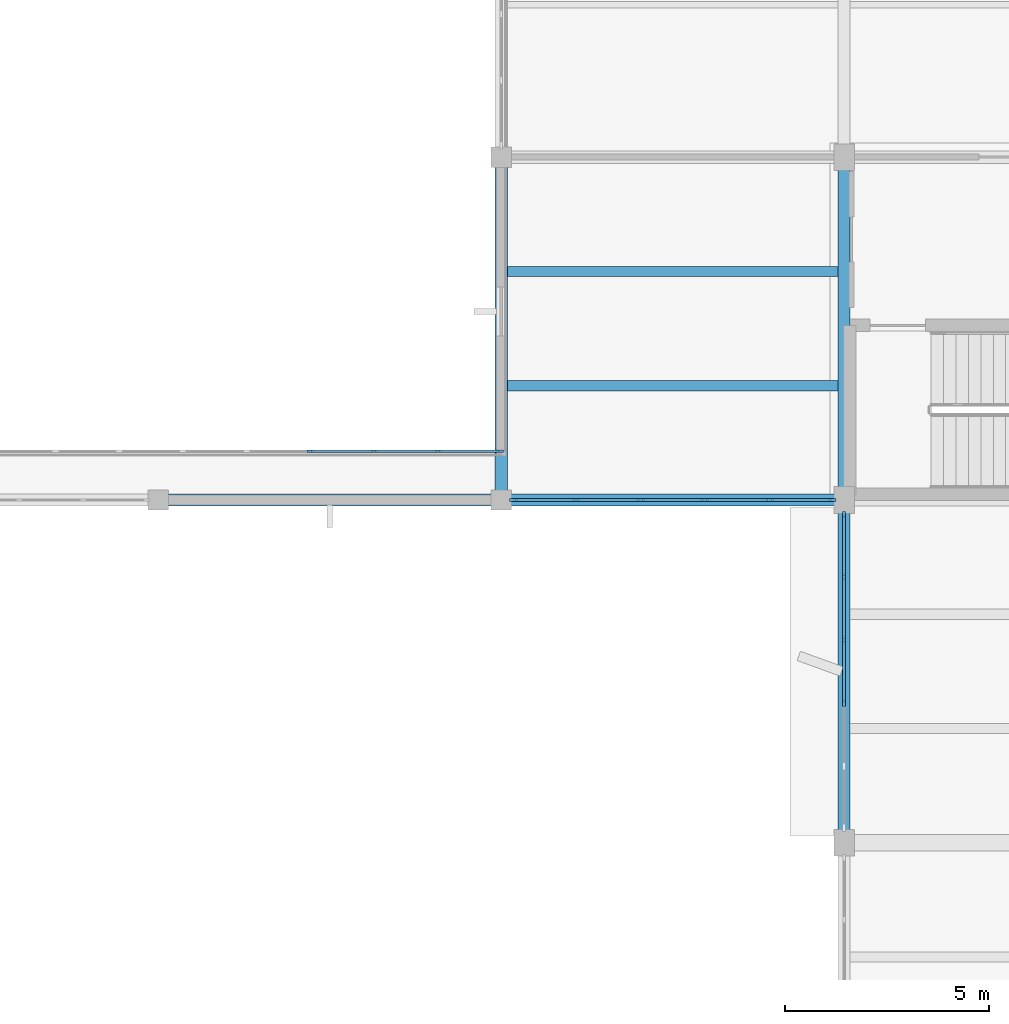
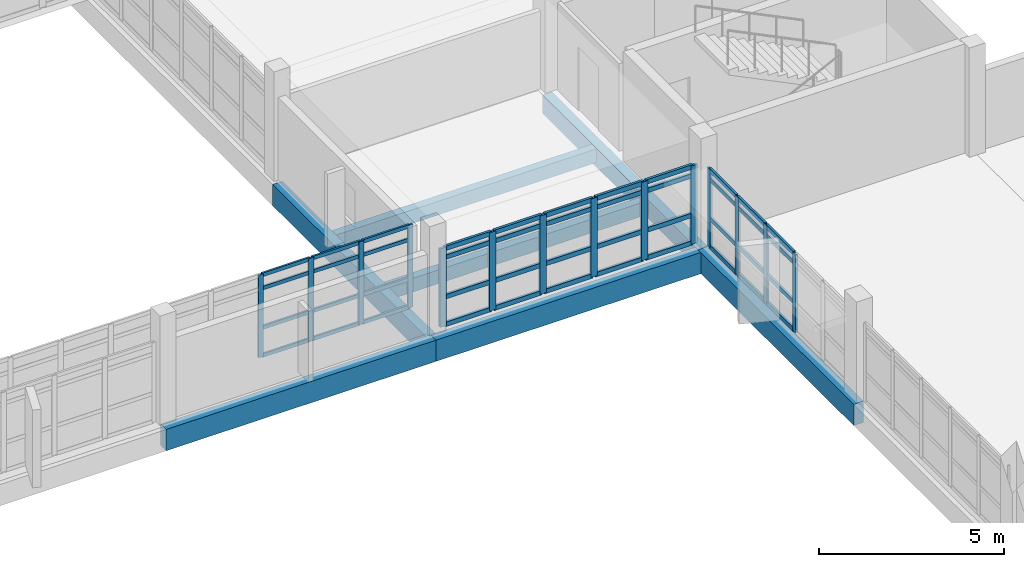
# One storey, part 29 of 104: 58 members, 7 beams, 3 elements without a shape of their own.
"""IFC4 building model written with IfcOpenShell, lengths in metres."""

from ifc_helpers import new_model, si_unit, direction, frame, origin, origin_2d, place, context, subcontext, project, spatial, rectangle, extrude, material, material_profile, profile_set, type_object, element, aggregate, save


model = new_model("IFC4")

# Units and contexts
model_context = context("Model", 3, precision=1e-05, world=origin(), true_north=direction((0.0, 1.0)))
body_context = subcontext(model_context, "Body", "Model", "MODEL_VIEW")
ifc_project = project(units=[si_unit("LENGTHUNIT", "METRE"), si_unit("AREAUNIT", "SQUARE_METRE"), si_unit("VOLUMEUNIT", "CUBIC_METRE"), si_unit("PLANEANGLEUNIT", "RADIAN"), si_unit("MASSUNIT", "GRAM", prefix="KILO")], contexts=[model_context])

# Site, building, storey
site_placement = place(None, origin())
site = spatial("IfcSite", under=ifc_project, at=site_placement, CompositionType="ELEMENT")
building_placement = place(site_placement, origin())
building = spatial("IfcBuilding", under=site, at=building_placement, Name="Vanh Quang Courtyard School", CompositionType="ELEMENT")
storey_placement = place(building_placement, frame((0.0, 0.0, 4.199951171875)))
storey = spatial("IfcBuildingStorey", under=building, at=storey_placement, Name="L01", CompositionType="ELEMENT", Elevation=4.199951171875)

# Beams
ifc_material_1 = material(Name="Concrete C35/45", Category="concrete")
ifc_material_profile_1 = material_profile(ifc_material_1, rectangle(XDim=0.300048828125, YDim=0.60009765625, at=origin_2d()), Name="RC-BM 300x600")
ifc_profile_set_1 = profile_set([ifc_material_profile_1], Name="Concrete C35/45")
beam_type_1 = type_object("IfcBeamType", Name="BM-RC-300x600", PredefinedType="BEAM", material=ifc_profile_set_1)
beam_1_placement = place(storey_placement, frame((29.39990234375, 88.199951171875, -0.579833984375), z_axis=(0.0, 1.0, 0.0), x_axis=(-1.0, 0.0, 0.0)))
element("IfcBeam", 1, at=beam_1_placement, inside=storey, type_object=beam_type_1, Name="Beam B-06 (L01)", PredefinedType="BEAM", context=body_context, shape_type="SweptSolid", body=[
    extrude(rectangle(XDim=0.300048828125, YDim=0.60009765625, at=origin_2d()), origin(), (0.0, 0.0, 1.0), 8.400146484375),
])
ifc_material_profile_2 = material_profile(ifc_material_1, rectangle(XDim=0.300048828125, YDim=0.699951171875, at=origin_2d()), Name="RC-SP 300x700")
ifc_profile_set_2 = profile_set([ifc_material_profile_2], Name="Concrete C35/45")
beam_type_2 = type_object("IfcBeamType", Name="BM-SP-300x700", PredefinedType="SPANDREL", material=ifc_profile_set_2)
for number, where, z_axis, x_axis, name in (
    (2, (12.60009765625, 88.199951171875, -0.6298828125), (1.0, 0.0, 0.0), (0.0, 1.0, 0.0), "Beam BS-01 (L01)"),
    (3, (21.0, 88.199951171875, -0.6298828125), (1.0, 0.0, 0.0), (0.0, 1.0, 0.0), "Beam BS-01 (L01)"),
):
    element("IfcBeam", number, at=place(storey_placement, frame(where, z_axis=z_axis, x_axis=x_axis)), inside=storey, type_object=beam_type_2, Name=name, PredefinedType="SPANDREL", context=body_context, shape_type="SweptSolid", body=[
        extrude(rectangle(XDim=0.300048828125, YDim=0.699951171875, at=origin_2d()), origin(), (0.0, 0.0, 1.0), 8.39990234375),
    ])
beam_2_placement = place(storey_placement, frame((21.0, 88.199951171875, -0.6298828125), z_axis=(0.0, 1.0, 0.0), x_axis=(-1.0, 0.0, 0.0)))
element("IfcBeam", 4, at=beam_2_placement, inside=storey, type_object=beam_type_2, Name="Beam BS-01 (L01)", PredefinedType="SPANDREL", context=body_context, shape_type="SweptSolid", body=[
    extrude(rectangle(XDim=0.300048828125, YDim=0.699951171875, at=origin_2d()), origin(), (0.0, 0.0, 1.0), 8.400146484375),
])
beam_3_placement = place(storey_placement, frame((29.39990234375, 79.800048828125, -0.6298828125), z_axis=(0.0, 1.0, 0.0), x_axis=(-1.0, 0.0, 0.0)))
element("IfcBeam", 5, at=beam_3_placement, inside=storey, type_object=beam_type_2, Name="Beam BS-01 (L01)", PredefinedType="SPANDREL", context=body_context, shape_type="SweptSolid", body=[
    extrude(rectangle(XDim=0.300048828125, YDim=0.699951171875, at=origin_2d()), origin(), (0.0, 0.0, 1.0), 8.39990234375),
])

# Curtain wall, members
ifc_material_2 = material(Name="Thermally broken aluminium unitised curtain wall", Category="aluminium")
curtain_wall_type_1 = type_object("IfcCurtainWallType", Name="CW-SYS-35", PredefinedType="NOTDEFINED", material=ifc_material_2)
curtain_wall_1_placement = place(storey_placement, origin())
curtain_wall_1 = element("IfcCurtainWall", 6, at=curtain_wall_1_placement, inside=storey, type_object=curtain_wall_type_1, Name="Curtain Wall CW-35 (L01)", PredefinedType="NOTDEFINED")
ifc_material_3 = material(Name="Anodised aluminium 6063-T6", Category="aluminium")
ifc_material_profile_3 = material_profile(ifc_material_3, rectangle(XDim=0.06005859375, YDim=0.159912109375, at=origin_2d()), Name="ALU-MUL 60x160")
ifc_profile_set_3 = profile_set([ifc_material_profile_3], Name="Anodised aluminium 6063-T6")
member_type_1 = type_object("IfcMemberType", Name="CW-MUL-60x160", PredefinedType="MULLION", material=ifc_profile_set_3)
member_1_placement = place(storey_placement, frame((16.320068359375, 89.39990234375, 0.0), z_axis=(0.0, 0.0, 1.0), x_axis=(0.0, 1.0, 0.0)))
member_1 = element("IfcMember", 7, at=member_1_placement, type_object=member_type_1, Name="CW-35 mullion 8", PredefinedType="MULLION", context=body_context, shape_type="SweptSolid", body=[
    extrude(rectangle(XDim=0.06005859375, YDim=0.159912109375, at=origin_2d()), origin(), (0.0, 0.0, 1.0), 2.719970703125),
])
member_2_placement = place(storey_placement, frame((17.8798828125, 89.39990234375, 0.0), z_axis=(0.0, 0.0, 1.0), x_axis=(0.0, 1.0, 0.0)))
member_2 = element("IfcMember", 8, at=member_2_placement, type_object=member_type_1, Name="CW-35 mullion 9", PredefinedType="MULLION", context=body_context, shape_type="SweptSolid", body=[
    extrude(rectangle(XDim=0.06005859375, YDim=0.159912109375, at=origin_2d()), origin(), (0.0, 0.0, 1.0), 2.719970703125),
])
member_3_placement = place(storey_placement, frame((19.43994140625, 89.39990234375, 0.0), z_axis=(0.0, 0.0, 1.0), x_axis=(0.0, 1.0, 0.0)))
member_3 = element("IfcMember", 9, at=member_3_placement, type_object=member_type_1, Name="CW-35 mullion 10", PredefinedType="MULLION", context=body_context, shape_type="SweptSolid", body=[
    extrude(rectangle(XDim=0.06005859375, YDim=0.159912109375, at=origin_2d()), origin(), (0.0, 0.0, 1.0), 2.719970703125),
])
member_4_placement = place(storey_placement, frame((20.969970703125, 89.39990234375, 0.0), z_axis=(0.0, 0.0, 1.0), x_axis=(0.0, 1.0, 0.0)))
member_4 = element("IfcMember", 10, at=member_4_placement, type_object=member_type_1, Name="CW-35 mullion 11", PredefinedType="MULLION", context=body_context, shape_type="SweptSolid", body=[
    extrude(rectangle(XDim=0.06005859375, YDim=0.159912109375, at=origin_2d()), origin(), (0.0, 0.0, 1.0), 2.719970703125),
])

curtain_wall_type_2 = type_object("IfcCurtainWallType", Name="CW-SYS-21", PredefinedType="NOTDEFINED", material=ifc_material_2)
curtain_wall_2_placement = place(storey_placement, origin())
curtain_wall_2 = element("IfcCurtainWall", 11, at=curtain_wall_2_placement, inside=storey, type_object=curtain_wall_type_2, Name="Curtain Wall CW-21 (L01)", PredefinedType="NOTDEFINED")
ifc_material_profile_4 = material_profile(ifc_material_3, rectangle(XDim=0.070068359375, YDim=0.179931640625, at=origin_2d()), Name="ALU-MUL 70x180")
ifc_profile_set_4 = profile_set([ifc_material_profile_4], Name="Anodised aluminium 6063-T6")
member_type_2 = type_object("IfcMemberType", Name="CW-MUL-70x180", PredefinedType="MULLION", material=ifc_profile_set_4)
member_5_placement = place(storey_placement, frame((29.39990234375, 83.2265625, 0.0), z_axis=(0.0, 0.0, 1.0), x_axis=(-1.0, 0.0, 0.0)))
member_5 = element("IfcMember", 12, at=member_5_placement, type_object=member_type_2, Name="CW-21 mullion 3", PredefinedType="MULLION", context=body_context, shape_type="SweptSolid", body=[
    extrude(rectangle(XDim=0.070068359375, YDim=0.179931640625, at=origin_2d()), origin(), (0.0, 0.0, 1.0), 2.580078125),
])
member_6_placement = place(storey_placement, frame((29.39990234375, 84.7734375, 0.0), z_axis=(0.0, 0.0, 1.0), x_axis=(-1.0, 0.0, 0.0)))
member_6 = element("IfcMember", 13, at=member_6_placement, type_object=member_type_2, Name="CW-21 mullion 4", PredefinedType="MULLION", context=body_context, shape_type="SweptSolid", body=[
    extrude(rectangle(XDim=0.070068359375, YDim=0.179931640625, at=origin_2d()), origin(), (0.0, 0.0, 1.0), 2.580078125),
])
member_7_placement = place(storey_placement, frame((29.39990234375, 86.3203125, 0.0), z_axis=(0.0, 0.0, 1.0), x_axis=(-1.0, 0.0, 0.0)))
member_7 = element("IfcMember", 14, at=member_7_placement, type_object=member_type_2, Name="CW-21 mullion 5", PredefinedType="MULLION", context=body_context, shape_type="SweptSolid", body=[
    extrude(rectangle(XDim=0.070068359375, YDim=0.179931640625, at=origin_2d()), origin(), (0.0, 0.0, 1.0), 2.580078125),
])
member_8_placement = place(storey_placement, frame((29.39990234375, 87.83203125, 0.0), z_axis=(0.0, 0.0, 1.0), x_axis=(-1.0, 0.0, 0.0)))
member_8 = element("IfcMember", 15, at=member_8_placement, type_object=member_type_2, Name="CW-21 mullion 6", PredefinedType="MULLION", context=body_context, shape_type="SweptSolid", body=[
    extrude(rectangle(XDim=0.070068359375, YDim=0.179931640625, at=origin_2d()), origin(), (0.0, 0.0, 1.0), 2.580078125),
])

curtain_wall_type_3 = type_object("IfcCurtainWallType", Name="CW-SYS-19", PredefinedType="NOTDEFINED", material=ifc_material_2)
curtain_wall_3_placement = place(storey_placement, origin())
curtain_wall_3 = element("IfcCurtainWall", 16, at=curtain_wall_3_placement, inside=storey, type_object=curtain_wall_type_3, Name="Curtain Wall CW-19 (L01)", PredefinedType="NOTDEFINED")
ifc_material_profile_5 = material_profile(ifc_material_3, rectangle(XDim=0.080078125, YDim=0.199951171875, at=origin_2d()), Name="ALU-MUL 80x200")
ifc_profile_set_5 = profile_set([ifc_material_profile_5], Name="Anodised aluminium 6063-T6")
member_type_3 = type_object("IfcMemberType", Name="CW-MUL-80x200", PredefinedType="MULLION", material=ifc_profile_set_5)
member_9_placement = place(storey_placement, frame((29.10205078125, 88.199951171875, 0.0), z_axis=(0.0, 0.0, 1.0), x_axis=(0.0, -1.0, 0.0)))
member_9 = element("IfcMember", 17, at=member_9_placement, type_object=member_type_3, Name="CW-19 mullion 1", PredefinedType="MULLION", context=body_context, shape_type="SweptSolid", body=[
    extrude(rectangle(XDim=0.080078125, YDim=0.199951171875, at=origin_2d()), origin(), (0.0, 0.0, 1.0), 2.580078125),
])
member_10_placement = place(storey_placement, frame((27.565185546875, 88.199951171875, 0.0), z_axis=(0.0, 0.0, 1.0), x_axis=(0.0, -1.0, 0.0)))
member_10 = element("IfcMember", 18, at=member_10_placement, type_object=member_type_3, Name="CW-19 mullion 2", PredefinedType="MULLION", context=body_context, shape_type="SweptSolid", body=[
    extrude(rectangle(XDim=0.080078125, YDim=0.199951171875, at=origin_2d()), origin(), (0.0, 0.0, 1.0), 2.580078125),
])
member_11_placement = place(storey_placement, frame((25.98828125, 88.199951171875, 0.0), z_axis=(0.0, 0.0, 1.0), x_axis=(0.0, -1.0, 0.0)))
member_11 = element("IfcMember", 19, at=member_11_placement, type_object=member_type_3, Name="CW-19 mullion 3", PredefinedType="MULLION", context=body_context, shape_type="SweptSolid", body=[
    extrude(rectangle(XDim=0.080078125, YDim=0.199951171875, at=origin_2d()), origin(), (0.0, 0.0, 1.0), 2.580078125),
])
member_12_placement = place(storey_placement, frame((24.41162109375, 88.199951171875, 0.0), z_axis=(0.0, 0.0, 1.0), x_axis=(0.0, -1.0, 0.0)))
member_12 = element("IfcMember", 20, at=member_12_placement, type_object=member_type_3, Name="CW-19 mullion 4", PredefinedType="MULLION", context=body_context, shape_type="SweptSolid", body=[
    extrude(rectangle(XDim=0.080078125, YDim=0.199951171875, at=origin_2d()), origin(), (0.0, 0.0, 1.0), 2.580078125),
])
member_13_placement = place(storey_placement, frame((22.834716796875, 88.199951171875, 0.0), z_axis=(0.0, 0.0, 1.0), x_axis=(0.0, -1.0, 0.0)))
member_13 = element("IfcMember", 21, at=member_13_placement, type_object=member_type_3, Name="CW-19 mullion 5", PredefinedType="MULLION", context=body_context, shape_type="SweptSolid", body=[
    extrude(rectangle(XDim=0.080078125, YDim=0.199951171875, at=origin_2d()), origin(), (0.0, 0.0, 1.0), 2.580078125),
])
member_14_placement = place(storey_placement, frame((21.298095703125, 88.199951171875, 0.0), z_axis=(0.0, 0.0, 1.0), x_axis=(0.0, -1.0, 0.0)))
member_14 = element("IfcMember", 22, at=member_14_placement, type_object=member_type_3, Name="CW-19 mullion 6", PredefinedType="MULLION", context=body_context, shape_type="SweptSolid", body=[
    extrude(rectangle(XDim=0.080078125, YDim=0.199951171875, at=origin_2d()), origin(), (0.0, 0.0, 1.0), 2.580078125),
])

# Member
ifc_material_profile_6 = material_profile(ifc_material_3, rectangle(XDim=0.06005859375, YDim=0.1201171875, at=origin_2d()), Name="ALU-TRN 60x120")
ifc_profile_set_6 = profile_set([ifc_material_profile_6], Name="Anodised aluminium 6063-T6")
member_type_4 = type_object("IfcMemberType", Name="CW-TRN-60x120", PredefinedType="USERDEFINED", material=ifc_profile_set_6)
member_15_placement = place(storey_placement, frame((16.35009765625, 89.39990234375, 0.030029296875), z_axis=(1.0, 0.0, 0.0), x_axis=(0.0, 1.0, 0.0)))
member_15 = element("IfcMember", 23, at=member_15_placement, type_object=member_type_4, Name="CW-35 transom 8.1", ObjectType="TRANSOM", PredefinedType="USERDEFINED", context=body_context, shape_type="SweptSolid", body=[
    extrude(rectangle(XDim=0.06005859375, YDim=0.1201171875, at=origin_2d()), origin(), (0.0, 0.0, 1.0), 1.5),
])

member_16_placement = place(storey_placement, frame((16.35009765625, 89.39990234375, 0.949951171875), z_axis=(1.0, 0.0, 0.0), x_axis=(0.0, 1.0, 0.0)))
member_16 = element("IfcMember", 24, at=member_16_placement, type_object=member_type_4, Name="CW-35 transom 8.2", ObjectType="TRANSOM", PredefinedType="USERDEFINED", context=body_context, shape_type="SweptSolid", body=[
    extrude(rectangle(XDim=0.06005859375, YDim=0.1201171875, at=origin_2d()), origin(), (0.0, 0.0, 1.0), 1.5),
])

member_17_placement = place(storey_placement, frame((16.35009765625, 89.39990234375, 2.25), z_axis=(1.0, 0.0, 0.0), x_axis=(0.0, 1.0, 0.0)))
member_17 = element("IfcMember", 25, at=member_17_placement, type_object=member_type_4, Name="CW-35 transom 8.3", ObjectType="TRANSOM", PredefinedType="USERDEFINED", context=body_context, shape_type="SweptSolid", body=[
    extrude(rectangle(XDim=0.06005859375, YDim=0.1201171875, at=origin_2d()), origin(), (0.0, 0.0, 1.0), 1.5),
])

member_18_placement = place(storey_placement, frame((16.35009765625, 89.39990234375, 2.68994140625), z_axis=(1.0, 0.0, 0.0), x_axis=(0.0, 1.0, 0.0)))
member_18 = element("IfcMember", 26, at=member_18_placement, type_object=member_type_4, Name="CW-35 transom 8.4", ObjectType="TRANSOM", PredefinedType="USERDEFINED", context=body_context, shape_type="SweptSolid", body=[
    extrude(rectangle(XDim=0.06005859375, YDim=0.1201171875, at=origin_2d()), origin(), (0.0, 0.0, 1.0), 1.5),
])

member_19_placement = place(storey_placement, frame((17.909912109375, 89.39990234375, 0.030029296875), z_axis=(1.0, 0.0, 0.0), x_axis=(0.0, 1.0, 0.0)))
member_19 = element("IfcMember", 27, at=member_19_placement, type_object=member_type_4, Name="CW-35 transom 9.1", ObjectType="TRANSOM", PredefinedType="USERDEFINED", context=body_context, shape_type="SweptSolid", body=[
    extrude(rectangle(XDim=0.06005859375, YDim=0.1201171875, at=origin_2d()), origin(), (0.0, 0.0, 1.0), 1.5),
])

member_20_placement = place(storey_placement, frame((17.909912109375, 89.39990234375, 0.949951171875), z_axis=(1.0, 0.0, 0.0), x_axis=(0.0, 1.0, 0.0)))
member_20 = element("IfcMember", 28, at=member_20_placement, type_object=member_type_4, Name="CW-35 transom 9.2", ObjectType="TRANSOM", PredefinedType="USERDEFINED", context=body_context, shape_type="SweptSolid", body=[
    extrude(rectangle(XDim=0.06005859375, YDim=0.1201171875, at=origin_2d()), origin(), (0.0, 0.0, 1.0), 1.5),
])

member_21_placement = place(storey_placement, frame((17.909912109375, 89.39990234375, 2.25), z_axis=(1.0, 0.0, 0.0), x_axis=(0.0, 1.0, 0.0)))
member_21 = element("IfcMember", 29, at=member_21_placement, type_object=member_type_4, Name="CW-35 transom 9.3", ObjectType="TRANSOM", PredefinedType="USERDEFINED", context=body_context, shape_type="SweptSolid", body=[
    extrude(rectangle(XDim=0.06005859375, YDim=0.1201171875, at=origin_2d()), origin(), (0.0, 0.0, 1.0), 1.5),
])

member_22_placement = place(storey_placement, frame((17.909912109375, 89.39990234375, 2.68994140625), z_axis=(1.0, 0.0, 0.0), x_axis=(0.0, 1.0, 0.0)))
member_22 = element("IfcMember", 30, at=member_22_placement, type_object=member_type_4, Name="CW-35 transom 9.4", ObjectType="TRANSOM", PredefinedType="USERDEFINED", context=body_context, shape_type="SweptSolid", body=[
    extrude(rectangle(XDim=0.06005859375, YDim=0.1201171875, at=origin_2d()), origin(), (0.0, 0.0, 1.0), 1.5),
])

member_23_placement = place(storey_placement, frame((19.469970703125, 89.39990234375, 0.030029296875), z_axis=(1.0, 0.0, 0.0), x_axis=(0.0, 1.0, 0.0)))
member_23 = element("IfcMember", 31, at=member_23_placement, type_object=member_type_4, Name="CW-35 transom 10.1", ObjectType="TRANSOM", PredefinedType="USERDEFINED", context=body_context, shape_type="SweptSolid", body=[
    extrude(rectangle(XDim=0.06005859375, YDim=0.1201171875, at=origin_2d()), origin(), (0.0, 0.0, 1.0), 1.469970703125),
])

member_24_placement = place(storey_placement, frame((19.469970703125, 89.39990234375, 0.949951171875), z_axis=(1.0, 0.0, 0.0), x_axis=(0.0, 1.0, 0.0)))
member_24 = element("IfcMember", 32, at=member_24_placement, type_object=member_type_4, Name="CW-35 transom 10.2", ObjectType="TRANSOM", PredefinedType="USERDEFINED", context=body_context, shape_type="SweptSolid", body=[
    extrude(rectangle(XDim=0.06005859375, YDim=0.1201171875, at=origin_2d()), origin(), (0.0, 0.0, 1.0), 1.469970703125),
])

member_25_placement = place(storey_placement, frame((19.469970703125, 89.39990234375, 2.25), z_axis=(1.0, 0.0, 0.0), x_axis=(0.0, 1.0, 0.0)))
member_25 = element("IfcMember", 33, at=member_25_placement, type_object=member_type_4, Name="CW-35 transom 10.3", ObjectType="TRANSOM", PredefinedType="USERDEFINED", context=body_context, shape_type="SweptSolid", body=[
    extrude(rectangle(XDim=0.06005859375, YDim=0.1201171875, at=origin_2d()), origin(), (0.0, 0.0, 1.0), 1.469970703125),
])

member_26_placement = place(storey_placement, frame((19.469970703125, 89.39990234375, 2.68994140625), z_axis=(1.0, 0.0, 0.0), x_axis=(0.0, 1.0, 0.0)))
member_26 = element("IfcMember", 34, at=member_26_placement, type_object=member_type_4, Name="CW-35 transom 10.4", ObjectType="TRANSOM", PredefinedType="USERDEFINED", context=body_context, shape_type="SweptSolid", body=[
    extrude(rectangle(XDim=0.06005859375, YDim=0.1201171875, at=origin_2d()), origin(), (0.0, 0.0, 1.0), 1.469970703125),
])

aggregate(curtain_wall_1, [member_1, member_2, member_3, member_4, member_15, member_16, member_17, member_18, member_19, member_20, member_21, member_22, member_23, member_24, member_25, member_26])

ifc_material_profile_7 = material_profile(ifc_material_3, rectangle(XDim=0.070068359375, YDim=0.139892578125, at=origin_2d()), Name="ALU-TRN 70x140")
ifc_profile_set_7 = profile_set([ifc_material_profile_7], Name="Anodised aluminium 6063-T6")
member_type_5 = type_object("IfcMemberType", Name="CW-TRN-70x140", PredefinedType="USERDEFINED", material=ifc_profile_set_7)
member_27_placement = place(storey_placement, frame((29.39990234375, 83.26171875, 0.03515625), z_axis=(0.0, 1.0, 0.0), x_axis=(-1.0, 0.0, 0.0)))
member_27 = element("IfcMember", 35, at=member_27_placement, type_object=member_type_5, Name="CW-21 transom 3.1", ObjectType="TRANSOM", PredefinedType="USERDEFINED", context=body_context, shape_type="SweptSolid", body=[
    extrude(rectangle(XDim=0.070068359375, YDim=0.139892578125, at=origin_2d()), origin(), (0.0, 0.0, 1.0), 1.4765625),
])

member_28_placement = place(storey_placement, frame((29.39990234375, 83.26171875, 0.949951171875), z_axis=(0.0, 1.0, 0.0), x_axis=(-1.0, 0.0, 0.0)))
member_28 = element("IfcMember", 36, at=member_28_placement, type_object=member_type_5, Name="CW-21 transom 3.2", ObjectType="TRANSOM", PredefinedType="USERDEFINED", context=body_context, shape_type="SweptSolid", body=[
    extrude(rectangle(XDim=0.070068359375, YDim=0.139892578125, at=origin_2d()), origin(), (0.0, 0.0, 1.0), 1.4765625),
])

member_29_placement = place(storey_placement, frame((29.39990234375, 83.26171875, 2.25), z_axis=(0.0, 1.0, 0.0), x_axis=(-1.0, 0.0, 0.0)))
member_29 = element("IfcMember", 37, at=member_29_placement, type_object=member_type_5, Name="CW-21 transom 3.3", ObjectType="TRANSOM", PredefinedType="USERDEFINED", context=body_context, shape_type="SweptSolid", body=[
    extrude(rectangle(XDim=0.070068359375, YDim=0.139892578125, at=origin_2d()), origin(), (0.0, 0.0, 1.0), 1.4765625),
])

member_30_placement = place(storey_placement, frame((29.39990234375, 83.26171875, 2.545166015625), z_axis=(0.0, 1.0, 0.0), x_axis=(-1.0, 0.0, 0.0)))
member_30 = element("IfcMember", 38, at=member_30_placement, type_object=member_type_5, Name="CW-21 transom 3.4", ObjectType="TRANSOM", PredefinedType="USERDEFINED", context=body_context, shape_type="SweptSolid", body=[
    extrude(rectangle(XDim=0.070068359375, YDim=0.139892578125, at=origin_2d()), origin(), (0.0, 0.0, 1.0), 1.4765625),
])

member_31_placement = place(storey_placement, frame((29.39990234375, 84.808349609375, 0.03515625), z_axis=(0.0, 1.0, 0.0), x_axis=(-1.0, 0.0, 0.0)))
member_31 = element("IfcMember", 39, at=member_31_placement, type_object=member_type_5, Name="CW-21 transom 4.1", ObjectType="TRANSOM", PredefinedType="USERDEFINED", context=body_context, shape_type="SweptSolid", body=[
    extrude(rectangle(XDim=0.070068359375, YDim=0.139892578125, at=origin_2d()), origin(), (0.0, 0.0, 1.0), 1.476806640625),
])

member_32_placement = place(storey_placement, frame((29.39990234375, 84.808349609375, 0.949951171875), z_axis=(0.0, 1.0, 0.0), x_axis=(-1.0, 0.0, 0.0)))
member_32 = element("IfcMember", 40, at=member_32_placement, type_object=member_type_5, Name="CW-21 transom 4.2", ObjectType="TRANSOM", PredefinedType="USERDEFINED", context=body_context, shape_type="SweptSolid", body=[
    extrude(rectangle(XDim=0.070068359375, YDim=0.139892578125, at=origin_2d()), origin(), (0.0, 0.0, 1.0), 1.476806640625),
])

member_33_placement = place(storey_placement, frame((29.39990234375, 84.808349609375, 2.25), z_axis=(0.0, 1.0, 0.0), x_axis=(-1.0, 0.0, 0.0)))
member_33 = element("IfcMember", 41, at=member_33_placement, type_object=member_type_5, Name="CW-21 transom 4.3", ObjectType="TRANSOM", PredefinedType="USERDEFINED", context=body_context, shape_type="SweptSolid", body=[
    extrude(rectangle(XDim=0.070068359375, YDim=0.139892578125, at=origin_2d()), origin(), (0.0, 0.0, 1.0), 1.476806640625),
])

member_34_placement = place(storey_placement, frame((29.39990234375, 84.808349609375, 2.545166015625), z_axis=(0.0, 1.0, 0.0), x_axis=(-1.0, 0.0, 0.0)))
member_34 = element("IfcMember", 42, at=member_34_placement, type_object=member_type_5, Name="CW-21 transom 4.4", ObjectType="TRANSOM", PredefinedType="USERDEFINED", context=body_context, shape_type="SweptSolid", body=[
    extrude(rectangle(XDim=0.070068359375, YDim=0.139892578125, at=origin_2d()), origin(), (0.0, 0.0, 1.0), 1.476806640625),
])

member_35_placement = place(storey_placement, frame((29.39990234375, 86.355224609375, 0.03515625), z_axis=(0.0, 1.0, 0.0), x_axis=(-1.0, 0.0, 0.0)))
member_35 = element("IfcMember", 43, at=member_35_placement, type_object=member_type_5, Name="CW-21 transom 5.1", ObjectType="TRANSOM", PredefinedType="USERDEFINED", context=body_context, shape_type="SweptSolid", body=[
    extrude(rectangle(XDim=0.070068359375, YDim=0.139892578125, at=origin_2d()), origin(), (0.0, 0.0, 1.0), 1.44189453125),
])

member_36_placement = place(storey_placement, frame((29.39990234375, 86.355224609375, 0.949951171875), z_axis=(0.0, 1.0, 0.0), x_axis=(-1.0, 0.0, 0.0)))
member_36 = element("IfcMember", 44, at=member_36_placement, type_object=member_type_5, Name="CW-21 transom 5.2", ObjectType="TRANSOM", PredefinedType="USERDEFINED", context=body_context, shape_type="SweptSolid", body=[
    extrude(rectangle(XDim=0.070068359375, YDim=0.139892578125, at=origin_2d()), origin(), (0.0, 0.0, 1.0), 1.44189453125),
])

member_37_placement = place(storey_placement, frame((29.39990234375, 86.355224609375, 2.25), z_axis=(0.0, 1.0, 0.0), x_axis=(-1.0, 0.0, 0.0)))
member_37 = element("IfcMember", 45, at=member_37_placement, type_object=member_type_5, Name="CW-21 transom 5.3", ObjectType="TRANSOM", PredefinedType="USERDEFINED", context=body_context, shape_type="SweptSolid", body=[
    extrude(rectangle(XDim=0.070068359375, YDim=0.139892578125, at=origin_2d()), origin(), (0.0, 0.0, 1.0), 1.44189453125),
])

member_38_placement = place(storey_placement, frame((29.39990234375, 86.355224609375, 2.545166015625), z_axis=(0.0, 1.0, 0.0), x_axis=(-1.0, 0.0, 0.0)))
member_38 = element("IfcMember", 46, at=member_38_placement, type_object=member_type_5, Name="CW-21 transom 5.4", ObjectType="TRANSOM", PredefinedType="USERDEFINED", context=body_context, shape_type="SweptSolid", body=[
    extrude(rectangle(XDim=0.070068359375, YDim=0.139892578125, at=origin_2d()), origin(), (0.0, 0.0, 1.0), 1.44189453125),
])

aggregate(curtain_wall_2, [member_5, member_6, member_7, member_8, member_27, member_28, member_29, member_30, member_31, member_32, member_33, member_34, member_35, member_36, member_37, member_38])

ifc_material_profile_8 = material_profile(ifc_material_3, rectangle(XDim=0.080078125, YDim=0.14990234375, at=origin_2d()), Name="ALU-TRN 80x150")
ifc_profile_set_8 = profile_set([ifc_material_profile_8], Name="Anodised aluminium 6063-T6")
member_type_6 = type_object("IfcMemberType", Name="CW-TRN-80x150", PredefinedType="USERDEFINED", material=ifc_profile_set_8)
member_39_placement = place(storey_placement, frame((29.06201171875, 88.199951171875, 0.0400390625), z_axis=(-1.0, 0.0, 0.0), x_axis=(0.0, -1.0, 0.0)))
member_39 = element("IfcMember", 47, at=member_39_placement, type_object=member_type_6, Name="CW-19 transom 1.1", ObjectType="TRANSOM", PredefinedType="USERDEFINED", context=body_context, shape_type="SweptSolid", body=[
    extrude(rectangle(XDim=0.080078125, YDim=0.14990234375, at=origin_2d()), origin(), (0.0, 0.0, 1.0), 1.456787109375),
])

member_40_placement = place(storey_placement, frame((29.06201171875, 88.199951171875, 0.949951171875), z_axis=(-1.0, 0.0, 0.0), x_axis=(0.0, -1.0, 0.0)))
member_40 = element("IfcMember", 48, at=member_40_placement, type_object=member_type_6, Name="CW-19 transom 1.2", ObjectType="TRANSOM", PredefinedType="USERDEFINED", context=body_context, shape_type="SweptSolid", body=[
    extrude(rectangle(XDim=0.080078125, YDim=0.14990234375, at=origin_2d()), origin(), (0.0, 0.0, 1.0), 1.456787109375),
])

member_41_placement = place(storey_placement, frame((29.06201171875, 88.199951171875, 2.25), z_axis=(-1.0, 0.0, 0.0), x_axis=(0.0, -1.0, 0.0)))
member_41 = element("IfcMember", 49, at=member_41_placement, type_object=member_type_6, Name="CW-19 transom 1.3", ObjectType="TRANSOM", PredefinedType="USERDEFINED", context=body_context, shape_type="SweptSolid", body=[
    extrude(rectangle(XDim=0.080078125, YDim=0.14990234375, at=origin_2d()), origin(), (0.0, 0.0, 1.0), 1.456787109375),
])

member_42_placement = place(storey_placement, frame((29.06201171875, 88.199951171875, 2.5400390625), z_axis=(-1.0, 0.0, 0.0), x_axis=(0.0, -1.0, 0.0)))
member_42 = element("IfcMember", 50, at=member_42_placement, type_object=member_type_6, Name="CW-19 transom 1.4", ObjectType="TRANSOM", PredefinedType="USERDEFINED", context=body_context, shape_type="SweptSolid", body=[
    extrude(rectangle(XDim=0.080078125, YDim=0.14990234375, at=origin_2d()), origin(), (0.0, 0.0, 1.0), 1.456787109375),
])

member_43_placement = place(storey_placement, frame((27.525146484375, 88.199951171875, 0.0400390625), z_axis=(-1.0, 0.0, 0.0), x_axis=(0.0, -1.0, 0.0)))
member_43 = element("IfcMember", 51, at=member_43_placement, type_object=member_type_6, Name="CW-19 transom 2.1", ObjectType="TRANSOM", PredefinedType="USERDEFINED", context=body_context, shape_type="SweptSolid", body=[
    extrude(rectangle(XDim=0.080078125, YDim=0.14990234375, at=origin_2d()), origin(), (0.0, 0.0, 1.0), 1.496826171875),
])

member_44_placement = place(storey_placement, frame((27.525146484375, 88.199951171875, 0.949951171875), z_axis=(-1.0, 0.0, 0.0), x_axis=(0.0, -1.0, 0.0)))
member_44 = element("IfcMember", 52, at=member_44_placement, type_object=member_type_6, Name="CW-19 transom 2.2", ObjectType="TRANSOM", PredefinedType="USERDEFINED", context=body_context, shape_type="SweptSolid", body=[
    extrude(rectangle(XDim=0.080078125, YDim=0.14990234375, at=origin_2d()), origin(), (0.0, 0.0, 1.0), 1.496826171875),
])

member_45_placement = place(storey_placement, frame((27.525146484375, 88.199951171875, 2.25), z_axis=(-1.0, 0.0, 0.0), x_axis=(0.0, -1.0, 0.0)))
member_45 = element("IfcMember", 53, at=member_45_placement, type_object=member_type_6, Name="CW-19 transom 2.3", ObjectType="TRANSOM", PredefinedType="USERDEFINED", context=body_context, shape_type="SweptSolid", body=[
    extrude(rectangle(XDim=0.080078125, YDim=0.14990234375, at=origin_2d()), origin(), (0.0, 0.0, 1.0), 1.496826171875),
])

member_46_placement = place(storey_placement, frame((27.525146484375, 88.199951171875, 2.5400390625), z_axis=(-1.0, 0.0, 0.0), x_axis=(0.0, -1.0, 0.0)))
member_46 = element("IfcMember", 54, at=member_46_placement, type_object=member_type_6, Name="CW-19 transom 2.4", ObjectType="TRANSOM", PredefinedType="USERDEFINED", context=body_context, shape_type="SweptSolid", body=[
    extrude(rectangle(XDim=0.080078125, YDim=0.14990234375, at=origin_2d()), origin(), (0.0, 0.0, 1.0), 1.496826171875),
])

member_47_placement = place(storey_placement, frame((25.948486328125, 88.199951171875, 0.0400390625), z_axis=(-1.0, 0.0, 0.0), x_axis=(0.0, -1.0, 0.0)))
member_47 = element("IfcMember", 55, at=member_47_placement, type_object=member_type_6, Name="CW-19 transom 3.1", ObjectType="TRANSOM", PredefinedType="USERDEFINED", context=body_context, shape_type="SweptSolid", body=[
    extrude(rectangle(XDim=0.080078125, YDim=0.14990234375, at=origin_2d()), origin(), (0.0, 0.0, 1.0), 1.496826171875),
])

member_48_placement = place(storey_placement, frame((25.948486328125, 88.199951171875, 0.949951171875), z_axis=(-1.0, 0.0, 0.0), x_axis=(0.0, -1.0, 0.0)))
member_48 = element("IfcMember", 56, at=member_48_placement, type_object=member_type_6, Name="CW-19 transom 3.2", ObjectType="TRANSOM", PredefinedType="USERDEFINED", context=body_context, shape_type="SweptSolid", body=[
    extrude(rectangle(XDim=0.080078125, YDim=0.14990234375, at=origin_2d()), origin(), (0.0, 0.0, 1.0), 1.496826171875),
])

member_49_placement = place(storey_placement, frame((25.948486328125, 88.199951171875, 2.25), z_axis=(-1.0, 0.0, 0.0), x_axis=(0.0, -1.0, 0.0)))
member_49 = element("IfcMember", 57, at=member_49_placement, type_object=member_type_6, Name="CW-19 transom 3.3", ObjectType="TRANSOM", PredefinedType="USERDEFINED", context=body_context, shape_type="SweptSolid", body=[
    extrude(rectangle(XDim=0.080078125, YDim=0.14990234375, at=origin_2d()), origin(), (0.0, 0.0, 1.0), 1.496826171875),
])

member_50_placement = place(storey_placement, frame((25.948486328125, 88.199951171875, 2.5400390625), z_axis=(-1.0, 0.0, 0.0), x_axis=(0.0, -1.0, 0.0)))
member_50 = element("IfcMember", 58, at=member_50_placement, type_object=member_type_6, Name="CW-19 transom 3.4", ObjectType="TRANSOM", PredefinedType="USERDEFINED", context=body_context, shape_type="SweptSolid", body=[
    extrude(rectangle(XDim=0.080078125, YDim=0.14990234375, at=origin_2d()), origin(), (0.0, 0.0, 1.0), 1.496826171875),
])

member_51_placement = place(storey_placement, frame((24.37158203125, 88.199951171875, 0.0400390625), z_axis=(-1.0, 0.0, 0.0), x_axis=(0.0, -1.0, 0.0)))
member_51 = element("IfcMember", 59, at=member_51_placement, type_object=member_type_6, Name="CW-19 transom 4.1", ObjectType="TRANSOM", PredefinedType="USERDEFINED", context=body_context, shape_type="SweptSolid", body=[
    extrude(rectangle(XDim=0.080078125, YDim=0.14990234375, at=origin_2d()), origin(), (0.0, 0.0, 1.0), 1.496826171875),
])

member_52_placement = place(storey_placement, frame((24.37158203125, 88.199951171875, 0.949951171875), z_axis=(-1.0, 0.0, 0.0), x_axis=(0.0, -1.0, 0.0)))
member_52 = element("IfcMember", 60, at=member_52_placement, type_object=member_type_6, Name="CW-19 transom 4.2", ObjectType="TRANSOM", PredefinedType="USERDEFINED", context=body_context, shape_type="SweptSolid", body=[
    extrude(rectangle(XDim=0.080078125, YDim=0.14990234375, at=origin_2d()), origin(), (0.0, 0.0, 1.0), 1.496826171875),
])

member_53_placement = place(storey_placement, frame((24.37158203125, 88.199951171875, 2.25), z_axis=(-1.0, 0.0, 0.0), x_axis=(0.0, -1.0, 0.0)))
member_53 = element("IfcMember", 61, at=member_53_placement, type_object=member_type_6, Name="CW-19 transom 4.3", ObjectType="TRANSOM", PredefinedType="USERDEFINED", context=body_context, shape_type="SweptSolid", body=[
    extrude(rectangle(XDim=0.080078125, YDim=0.14990234375, at=origin_2d()), origin(), (0.0, 0.0, 1.0), 1.496826171875),
])

member_54_placement = place(storey_placement, frame((24.37158203125, 88.199951171875, 2.5400390625), z_axis=(-1.0, 0.0, 0.0), x_axis=(0.0, -1.0, 0.0)))
member_54 = element("IfcMember", 62, at=member_54_placement, type_object=member_type_6, Name="CW-19 transom 4.4", ObjectType="TRANSOM", PredefinedType="USERDEFINED", context=body_context, shape_type="SweptSolid", body=[
    extrude(rectangle(XDim=0.080078125, YDim=0.14990234375, at=origin_2d()), origin(), (0.0, 0.0, 1.0), 1.496826171875),
])

member_55_placement = place(storey_placement, frame((22.794921875, 88.199951171875, 0.0400390625), z_axis=(-1.0, 0.0, 0.0), x_axis=(0.0, -1.0, 0.0)))
member_55 = element("IfcMember", 63, at=member_55_placement, type_object=member_type_6, Name="CW-19 transom 5.1", ObjectType="TRANSOM", PredefinedType="USERDEFINED", context=body_context, shape_type="SweptSolid", body=[
    extrude(rectangle(XDim=0.080078125, YDim=0.14990234375, at=origin_2d()), origin(), (0.0, 0.0, 1.0), 1.45703125),
])

member_56_placement = place(storey_placement, frame((22.794921875, 88.199951171875, 0.949951171875), z_axis=(-1.0, 0.0, 0.0), x_axis=(0.0, -1.0, 0.0)))
member_56 = element("IfcMember", 64, at=member_56_placement, type_object=member_type_6, Name="CW-19 transom 5.2", ObjectType="TRANSOM", PredefinedType="USERDEFINED", context=body_context, shape_type="SweptSolid", body=[
    extrude(rectangle(XDim=0.080078125, YDim=0.14990234375, at=origin_2d()), origin(), (0.0, 0.0, 1.0), 1.45703125),
])

member_57_placement = place(storey_placement, frame((22.794921875, 88.199951171875, 2.25), z_axis=(-1.0, 0.0, 0.0), x_axis=(0.0, -1.0, 0.0)))
member_57 = element("IfcMember", 65, at=member_57_placement, type_object=member_type_6, Name="CW-19 transom 5.3", ObjectType="TRANSOM", PredefinedType="USERDEFINED", context=body_context, shape_type="SweptSolid", body=[
    extrude(rectangle(XDim=0.080078125, YDim=0.14990234375, at=origin_2d()), origin(), (0.0, 0.0, 1.0), 1.45703125),
])

member_58_placement = place(storey_placement, frame((22.794921875, 88.199951171875, 2.5400390625), z_axis=(-1.0, 0.0, 0.0), x_axis=(0.0, -1.0, 0.0)))
member_58 = element("IfcMember", 66, at=member_58_placement, type_object=member_type_6, Name="CW-19 transom 5.4", ObjectType="TRANSOM", PredefinedType="USERDEFINED", context=body_context, shape_type="SweptSolid", body=[
    extrude(rectangle(XDim=0.080078125, YDim=0.14990234375, at=origin_2d()), origin(), (0.0, 0.0, 1.0), 1.45703125),
])

aggregate(curtain_wall_3, [member_9, member_10, member_11, member_12, member_13, member_14, member_39, member_40, member_41, member_42, member_43, member_44, member_45, member_46, member_47, member_48, member_49, member_50, member_51, member_52, member_53, member_54, member_55, member_56, member_57, member_58])

# Beams
ifc_material_4 = material(Name="Concrete C30/37", Category="concrete")
ifc_material_profile_9 = material_profile(ifc_material_4, rectangle(XDim=0.25, YDim=0.449951171875, at=origin_2d()), Name="RC-JST 250x450")
ifc_profile_set_9 = profile_set([ifc_material_profile_9], Name="Concrete C30/37")
beam_type_3 = type_object("IfcBeamType", Name="JST-RC-250x450", PredefinedType="JOIST", material=ifc_profile_set_9)
for number, where, z_axis, x_axis, name in (
    (67, (21.14990234375, 91.0, -0.5048828125), (1.0, 0.0, 0.0), (0.0, 1.0, 0.0), "Beam BJ-02 (L01)"),
    (68, (21.14990234375, 93.800048828125, -0.5048828125), (1.0, 0.0, 0.0), (0.0, 1.0, 0.0), "Beam BJ-02 (L01)"),
):
    element("IfcBeam", number, at=place(storey_placement, frame(where, z_axis=z_axis, x_axis=x_axis)), inside=storey, type_object=beam_type_3, Name=name, PredefinedType="JOIST", context=body_context, shape_type="SweptSolid", body=[
        extrude(rectangle(XDim=0.25, YDim=0.449951171875, at=origin_2d()), origin(), (0.0, 0.0, 1.0), 8.10009765625),
    ])

save(model, "model.ifc")
